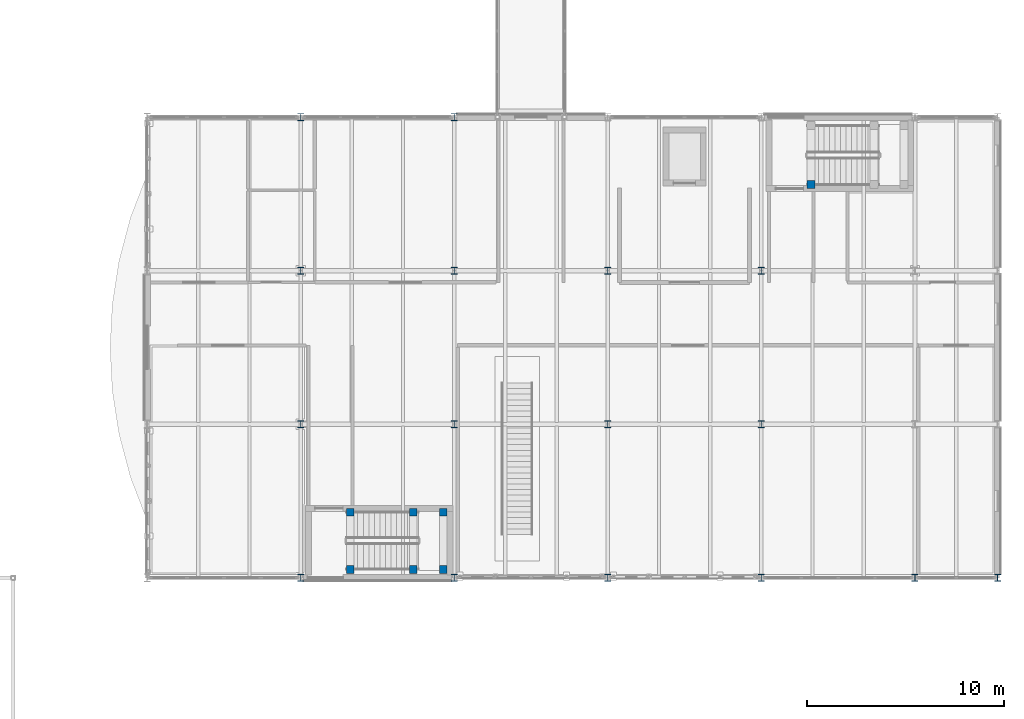
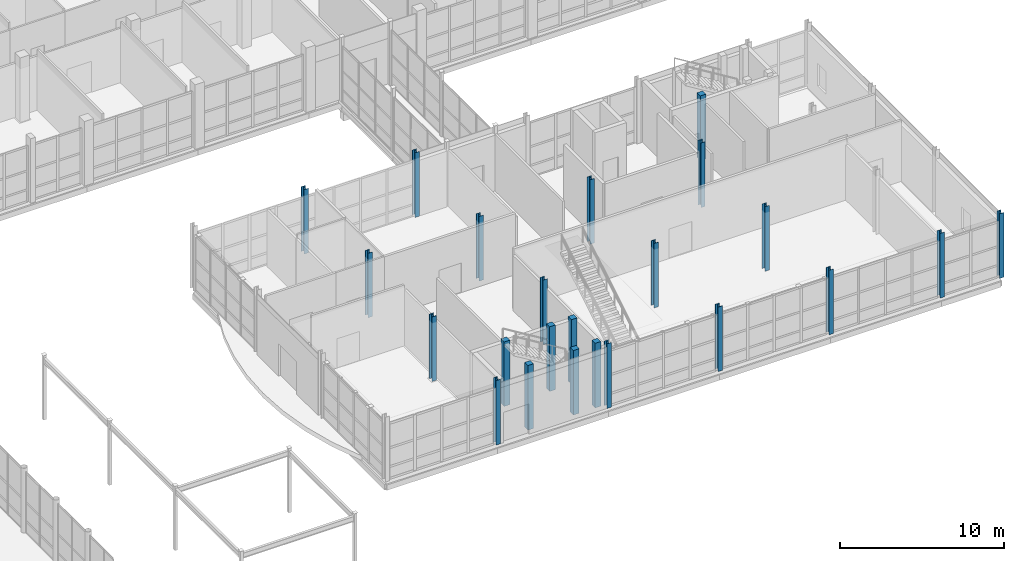
# One storey, part 20 of 131: 23 columns.
"""IFC4 building model written with IfcOpenShell, lengths in metres."""

from ifc_helpers import new_model, si_unit, direction, frame, origin, origin_2d, place, context, subcontext, project, spatial, rectangle, i_section, extrude, material, material_profile, profile_set, type_object, element, save


model = new_model("IFC4")

# Units and contexts
model_context = context("Model", 3, precision=1e-05, world=origin(), true_north=direction((0.0, 1.0)))
body_context = subcontext(model_context, "Body", "Model", "MODEL_VIEW")
ifc_project = project(units=[si_unit("LENGTHUNIT", "METRE"), si_unit("AREAUNIT", "SQUARE_METRE"), si_unit("VOLUMEUNIT", "CUBIC_METRE"), si_unit("PLANEANGLEUNIT", "RADIAN"), si_unit("MASSUNIT", "GRAM", prefix="KILO")], contexts=[model_context])

# Site, building, storey
site_placement = place(None, origin())
site = spatial("IfcSite", under=ifc_project, at=site_placement, CompositionType="ELEMENT")
building_placement = place(site_placement, origin())
building = spatial("IfcBuilding", under=site, at=building_placement, Name="Celorna Specialist Clinic", CompositionType="ELEMENT")
storey_placement = place(building_placement, origin())
storey = spatial("IfcBuildingStorey", under=building, at=storey_placement, Name="L00", CompositionType="ELEMENT", Elevation=0.0)

# Columns
ifc_material_1 = material(Name="Concrete C35/45", Category="concrete")
ifc_material_profile_1 = material_profile(ifc_material_1, rectangle(XDim=0.39990234375, YDim=0.39990234375, at=origin_2d()), Name="RC 400x400")
ifc_profile_set_1 = profile_set([ifc_material_profile_1], Name="Concrete C35/45")
column_type_1 = type_object("IfcColumnType", Name="CT-08", PredefinedType="COLUMN", material=ifc_profile_set_1)
for number, where, z_axis, x_axis, name in (
    (1, (158.52001953125, 79.969970703125, 0.0), (0.0, 0.0, 1.0), (1.0, 0.0, 0.0), "Stair ST-12 landing column CT-08 L00 X21/YP"),
    (2, (135.1201171875, 60.429931640625, 0.0), (0.0, 0.0, 1.0), (1.0, 0.0, 0.0), "Stair ST-13 landing column CT-08 L00 X18/YL"),
    (3, (135.1201171875, 63.330078125, 0.0), (0.0, 0.0, 1.0), (1.0, 0.0, 0.0), "Stair ST-13 landing column CT-08 L00 X18/YM"),
    (4, (138.320068359375, 60.429931640625, 0.0), (0.0, 0.0, 1.0), (1.0, 0.0, 0.0), "Stair ST-13 landing column CT-08 L00 X19/YL"),
    (5, (138.320068359375, 63.330078125, 0.0), (0.0, 0.0, 1.0), (1.0, 0.0, 0.0), "Stair ST-13 landing column CT-08 L00 X19/YM"),
    (6, (139.840087890625, 60.429931640625, 0.0), (0.0, 0.0, 1.0), (1.0, 0.0, 0.0), "Stair ST-13 landing column CT-08 L00 X19/YL"),
    (7, (139.840087890625, 63.330078125, 0.0), (0.0, 0.0, 1.0), (1.0, 0.0, 0.0), "Stair ST-13 landing column CT-08 L00 X19/YM"),
):
    element("IfcColumn", number, at=place(storey_placement, frame(where, z_axis=z_axis, x_axis=x_axis)), inside=storey, type_object=column_type_1, Name=name, PredefinedType="COLUMN", context=body_context, shape_type="SweptSolid", body=[
        extrude(rectangle(XDim=0.39990234375, YDim=0.39990234375, at=origin_2d()), origin(), (0.0, 0.0, 1.0), 4.800048828125),
    ])
ifc_material_2 = material(Name="Steel S355", Category="steel")
ifc_material_profile_2 = material_profile(ifc_material_2, i_section(OverallWidth=0.300048828125, OverallDepth=0.360107421875, WebThickness=0.012451171875, FlangeThickness=0.0224609375, at=origin_2d()), Name="HE 360 B")
ifc_profile_set_2 = profile_set([ifc_material_profile_2], Name="Steel S355")
column_type_2 = type_object("IfcColumnType", Name="CT-13", PredefinedType="COLUMN", material=ifc_profile_set_2)
for number, where, z_axis, x_axis, name in (
    (8, (132.60009765625, 60.0, 0.0), (0.0, 0.0, 1.0), (1.0, 0.0, 0.0), "Column CT-13 L00 X18/YL"),
    (9, (132.60009765625, 67.800048828125, 0.0), (0.0, 0.0, 1.0), (1.0, 0.0, 0.0), "Column CT-13 L00 X18/YN"),
    (10, (132.60009765625, 75.60009765625, 0.0), (0.0, 0.0, 1.0), (1.0, 0.0, 0.0), "Column CT-13 L00 X18/YP"),
    (11, (132.60009765625, 83.39990234375, 0.0), (0.0, 0.0, 1.0), (1.0, 0.0, 0.0), "Column CT-13 L00 X18/YQ"),
    (12, (140.39990234375, 60.0, 0.0), (0.0, 0.0, 1.0), (1.0, 0.0, 0.0), "Column CT-13 L00 X19/YL"),
    (13, (140.39990234375, 67.800048828125, 0.0), (0.0, 0.0, 1.0), (1.0, 0.0, 0.0), "Column CT-13 L00 X19/YN"),
    (14, (140.39990234375, 75.60009765625, 0.0), (0.0, 0.0, 1.0), (1.0, 0.0, 0.0), "Column CT-13 L00 X19/YP"),
    (15, (140.39990234375, 83.39990234375, 0.0), (0.0, 0.0, 1.0), (1.0, 0.0, 0.0), "Column CT-13 L00 X19/YQ"),
    (16, (148.199951171875, 60.0, 0.0), (0.0, 0.0, 1.0), (1.0, 0.0, 0.0), "Column CT-13 L00 X20/YL"),
    (17, (148.199951171875, 67.800048828125, 0.0), (0.0, 0.0, 1.0), (1.0, 0.0, 0.0), "Column CT-13 L00 X20/YN"),
    (18, (148.199951171875, 75.60009765625, 0.0), (0.0, 0.0, 1.0), (1.0, 0.0, 0.0), "Column CT-13 L00 X20/YP"),
    (19, (156.0, 60.0, 0.0), (0.0, 0.0, 1.0), (1.0, 0.0, 0.0), "Column CT-13 L00 X21/YL"),
    (20, (156.0, 67.800048828125, 0.0), (0.0, 0.0, 1.0), (1.0, 0.0, 0.0), "Column CT-13 L00 X21/YN"),
    (21, (156.0, 75.60009765625, 0.0), (0.0, 0.0, 1.0), (1.0, 0.0, 0.0), "Column CT-13 L00 X21/YP"),
    (22, (163.800048828125, 60.0, 0.0), (0.0, 0.0, 1.0), (1.0, 0.0, 0.0), "Column CT-13 L00 X22/YL"),
    (23, (168.0, 60.0, 0.0), (0.0, 0.0, 1.0), (1.0, 0.0, 0.0), "Column CT-13 L00 X23/YL"),
):
    element("IfcColumn", number, at=place(storey_placement, frame(where, z_axis=z_axis, x_axis=x_axis)), inside=storey, type_object=column_type_2, Name=name, PredefinedType="COLUMN", context=body_context, shape_type="SweptSolid", body=[
        extrude(i_section(OverallWidth=0.300048828125, OverallDepth=0.360107421875, WebThickness=0.012451171875, FlangeThickness=0.0224609375, at=origin_2d()), origin(), (0.0, 0.0, 1.0), 4.800048828125),
    ])

save(model, "model.ifc")
